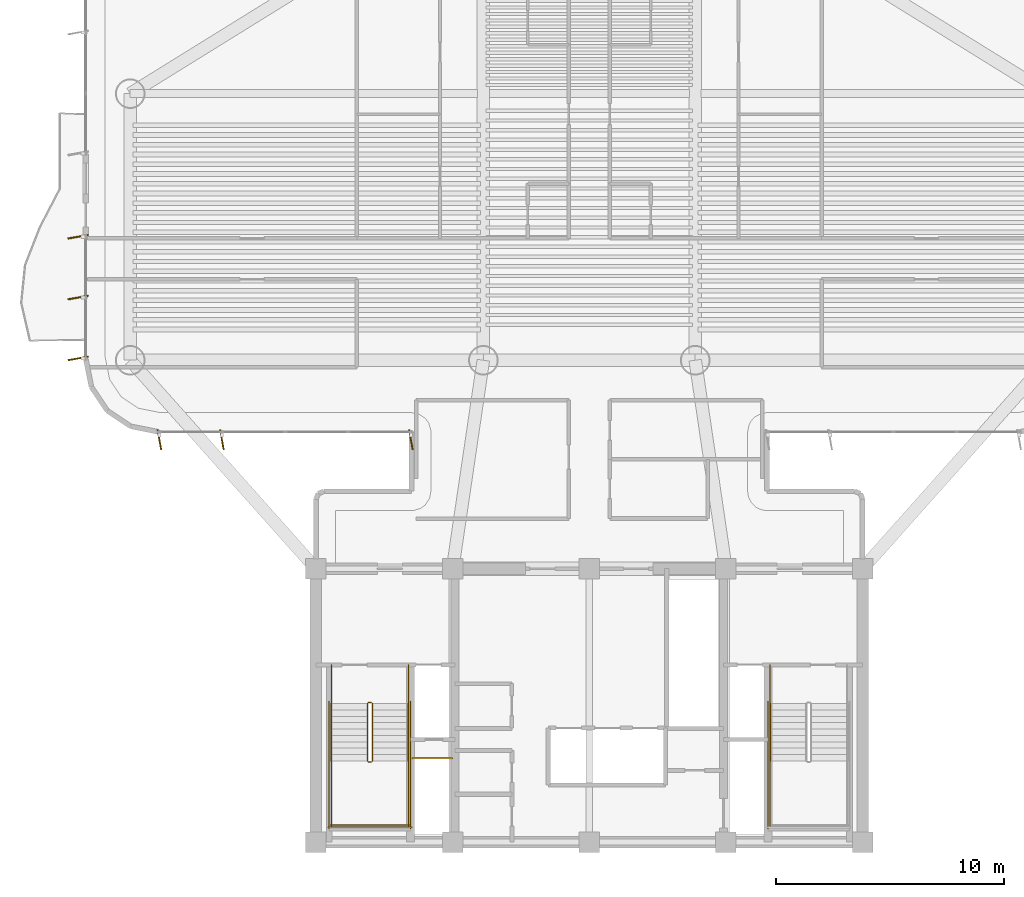
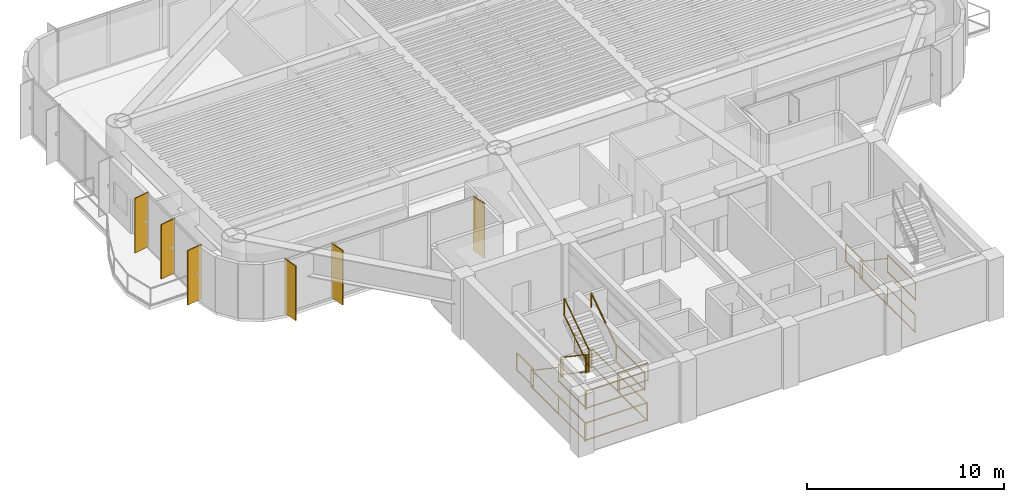
# One storey, part 12 of 15: 19 railings, 6 shading devices.
"""IFC4 building model written with IfcOpenShell, lengths in metres."""

from ifc_helpers import new_model, si_unit, direction, frame, origin, origin_2d, place, context, subcontext, project, spatial, rectangle, extrude, source, transform, mapped, material, layer, layer_set, material_profile, profile_set, type_object, element, save


model = new_model("IFC4")

# Units and contexts
model_context = context("Model", 3, precision=1e-05, world=origin(), true_north=direction((0.0, 1.0)))
body_context = subcontext(model_context, "Body", "Model", "MODEL_VIEW")
ifc_project = project(units=[si_unit("LENGTHUNIT", "METRE"), si_unit("AREAUNIT", "SQUARE_METRE"), si_unit("VOLUMEUNIT", "CUBIC_METRE"), si_unit("PLANEANGLEUNIT", "RADIAN"), si_unit("MASSUNIT", "GRAM", prefix="KILO")], contexts=[model_context])

# Site, building, storey
site_placement = place(None, origin())
site = spatial("IfcSite", under=ifc_project, at=site_placement, CompositionType="ELEMENT")
building_placement = place(site_placement, origin())
building = spatial("IfcBuilding", under=site, at=building_placement, Name="Brelvock Crest Care Tower", CompositionType="ELEMENT")
storey_placement = place(building_placement, frame((0.0, 0.0, 142.739990234375)))
storey = spatial("IfcBuildingStorey", under=building, at=storey_placement, Name="L36", CompositionType="ELEMENT", Elevation=142.739990234375)

# Railings
ifc_material_1 = material(Name="Steel Grade 350", Category="steel")
ifc_layer_1 = layer(ifc_material_1, 0.050048828125, Name="RL-STG1")
ifc_layer_set_1 = layer_set([ifc_layer_1], Name="Steel Grade 350")
railing_type_1 = type_object("IfcRailingType", Name="RL-STG1", PredefinedType="GUARDRAIL", material=ifc_layer_set_1)
railing_1_placement = place(storey_placement, frame((26.260009765625, 12.080078125, 0.18896484375)))
element("IfcRailing", 1, at=railing_1_placement, inside=storey, type_object=railing_type_1, Name="L36 ST-1 stair guard 1", PredefinedType="GUARDRAIL", context=body_context, shape_type="SweptSolid", body=[
    extrude(rectangle(XDim=0.048095703125, YDim=0.048095703125, at=origin_2d()), frame((0.0, -0.001708984375, 1.116943359375), z_axis=(0.0, -0.828861706735, 0.559453546873), x_axis=(1.0, 0.0, 0.0)), (0.0, 0.0, 1.0), 3.036376953125),
    extrude(rectangle(XDim=0.048095703125, YDim=0.048095703125, at=origin_2d()), frame((0.0, -0.001708984375, 0.05615234375), z_axis=(0.0, -0.828861706735, 0.559453546873), x_axis=(1.0, 0.0, 0.0)), (0.0, 0.0, 1.0), 3.036376953125),
    extrude(rectangle(XDim=0.0419921875, YDim=0.0419921875, at=origin_2d()), origin(), (0.0, 0.0, 1.0), 1.08984375),
    extrude(rectangle(XDim=0.0419921875, YDim=0.0419921875, at=origin_2d()), frame((0.0, -2.52001953125, 1.700927734375)), (0.0, 0.0, 1.0), 1.08984375),
])
railing_2_placement = place(storey_placement, frame((26.31005859375, 9.510009765625, 1.889892578125)))
element("IfcRailing", 2, at=railing_2_placement, inside=storey, type_object=railing_type_1, Name="L36 ST-1 stair guard 2", PredefinedType="GUARDRAIL", context=body_context, shape_type="SweptSolid", body=[
    extrude(rectangle(XDim=0.048095703125, YDim=0.048095703125, at=origin_2d()), frame((0.001953125, 0.0, 1.11572265625), z_axis=(1.0, 0.0, 0.0), x_axis=(0.0, 1.0, 0.0)), (0.0, 0.0, 1.0), 0.115966796875),
    extrude(rectangle(XDim=0.048095703125, YDim=0.048095703125, at=origin_2d()), frame((0.001953125, 0.0, 0.054931640625), z_axis=(1.0, 0.0, 0.0), x_axis=(0.0, 1.0, 0.0)), (0.0, 0.0, 1.0), 0.115966796875),
    extrude(rectangle(XDim=0.0419921875, YDim=0.0419921875, at=origin_2d()), origin(), (0.0, 0.0, 1.0), 1.08984375),
    extrude(rectangle(XDim=0.0419921875, YDim=0.0419921875, at=origin_2d()), frame((0.119873046875, 0.0, 0.0)), (0.0, 0.0, 1.0), 1.08984375),
])
for number, where, name in (
    (3, (24.679931640625, 9.56005859375, 1.889892578125), "L36 ST-1 stair guard 3"),
    (4, (28.06005859375, 9.56005859375, 1.889892578125), "L36 ST-1 stair guard 4"),
):
    element("IfcRailing", number, at=place(storey_placement, frame(where)), inside=storey, type_object=railing_type_1, Name=name, PredefinedType="GUARDRAIL", context=body_context, shape_type="SweptSolid", body=[
        extrude(rectangle(XDim=0.048095703125, YDim=0.048095703125, at=origin_2d()), frame((0.0, -0.001953125, 1.11572265625), z_axis=(0.0, -1.0, 0.0), x_axis=(1.0, 0.0, 0.0)), (0.0, 0.0, 1.0), 2.856201171875),
        extrude(rectangle(XDim=0.048095703125, YDim=0.048095703125, at=origin_2d()), frame((0.0, -0.001953125, 0.054931640625), z_axis=(0.0, -1.0, 0.0), x_axis=(1.0, 0.0, 0.0)), (0.0, 0.0, 1.0), 2.856201171875),
        extrude(rectangle(XDim=0.0419921875, YDim=0.0419921875, at=origin_2d()), origin(), (0.0, 0.0, 1.0), 1.08984375),
        extrude(rectangle(XDim=0.0419921875, YDim=0.0419921875, at=origin_2d()), frame((0.0, -2.860107421875, 0.0)), (0.0, 0.0, 1.0), 1.08984375),
    ])
railing_3_placement = place(storey_placement, frame((24.6298828125, 6.75, 1.889892578125)))
element("IfcRailing", 5, at=railing_3_placement, inside=storey, type_object=railing_type_1, Name="L36 ST-1 stair guard 5", PredefinedType="GUARDRAIL", context=body_context, shape_type="SweptSolid", body=[
    extrude(rectangle(XDim=0.048095703125, YDim=0.048095703125, at=origin_2d()), frame((0.001953125, 0.0, 1.11572265625), z_axis=(1.0, 0.0, 0.0), x_axis=(0.0, 1.0, 0.0)), (0.0, 0.0, 1.0), 3.476318359375),
    extrude(rectangle(XDim=0.048095703125, YDim=0.048095703125, at=origin_2d()), frame((0.001953125, 0.0, 0.054931640625), z_axis=(1.0, 0.0, 0.0), x_axis=(0.0, 1.0, 0.0)), (0.0, 0.0, 1.0), 3.476318359375),
    extrude(rectangle(XDim=0.0419921875, YDim=0.0419921875, at=origin_2d()), origin(), (0.0, 0.0, 1.0), 1.08984375),
    extrude(rectangle(XDim=0.0419921875, YDim=0.0419921875, at=origin_2d()), frame((3.480224609375, 0.0, 0.0)), (0.0, 0.0, 1.0), 1.08984375),
])
railing_4_placement = place(storey_placement, frame((26.47998046875, 9.56005859375, 2.0791015625)))
element("IfcRailing", 6, at=railing_4_placement, inside=storey, type_object=railing_type_1, Name="L36 ST-1 stair guard 6", PredefinedType="GUARDRAIL", context=body_context, shape_type="SweptSolid", body=[
    extrude(rectangle(XDim=0.048095703125, YDim=0.048095703125, at=origin_2d()), frame((0.0, 0.001708984375, 1.116943359375), z_axis=(0.0, 0.828861706735, 0.559453546873), x_axis=(-1.0, 0.0, 0.0)), (0.0, 0.0, 1.0), 3.036376953125),
    extrude(rectangle(XDim=0.048095703125, YDim=0.048095703125, at=origin_2d()), frame((0.0, 0.001708984375, 0.05615234375), z_axis=(0.0, 0.828861706735, 0.559453546873), x_axis=(-1.0, 0.0, 0.0)), (0.0, 0.0, 1.0), 3.036376953125),
    extrude(rectangle(XDim=0.0419921875, YDim=0.0419921875, at=origin_2d()), origin(), (0.0, 0.0, 1.0), 1.08984375),
    extrude(rectangle(XDim=0.0419921875, YDim=0.0419921875, at=origin_2d()), frame((0.0, 2.52001953125, 1.700927734375)), (0.0, 0.0, 1.0), 1.08984375),
])
railing_5_placement = place(storey_placement, frame((26.31005859375, 12.1298828125, 0.0)))
element("IfcRailing", 7, at=railing_5_placement, inside=storey, type_object=railing_type_1, Name="L36 ST-1 stair guard 7", PredefinedType="GUARDRAIL", context=body_context, shape_type="SweptSolid", body=[
    extrude(rectangle(XDim=0.048095703125, YDim=0.048095703125, at=origin_2d()), frame((0.001953125, 0.0, 1.11572265625), z_axis=(1.0, 0.0, 0.0), x_axis=(0.0, 1.0, 0.0)), (0.0, 0.0, 1.0), 0.115966796875),
    extrude(rectangle(XDim=0.048095703125, YDim=0.048095703125, at=origin_2d()), frame((0.001953125, 0.0, 0.054931640625), z_axis=(1.0, 0.0, 0.0), x_axis=(0.0, 1.0, 0.0)), (0.0, 0.0, 1.0), 0.115966796875),
    extrude(rectangle(XDim=0.0419921875, YDim=0.0419921875, at=origin_2d()), origin(), (0.0, 0.0, 1.0), 1.08984375),
    extrude(rectangle(XDim=0.0419921875, YDim=0.0419921875, at=origin_2d()), frame((0.119873046875, 0.0, 0.0)), (0.0, 0.0, 1.0), 1.08984375),
])
for number, where, name in (
    (8, (24.679931640625, 13.780029296875, 0.0), "L36 ST-1 stair guard 8"),
    (9, (28.06005859375, 13.780029296875, 0.0), "L36 ST-1 stair guard 9"),
):
    element("IfcRailing", number, at=place(storey_placement, frame(where)), inside=storey, type_object=railing_type_1, Name=name, PredefinedType="GUARDRAIL", context=body_context, shape_type="SweptSolid", body=[
        extrude(rectangle(XDim=0.048095703125, YDim=0.048095703125, at=origin_2d()), frame((0.0, -0.001953125, 1.11572265625), z_axis=(0.0, -1.0, 0.0), x_axis=(1.0, 0.0, 0.0)), (0.0, 0.0, 1.0), 1.696044921875),
        extrude(rectangle(XDim=0.048095703125, YDim=0.048095703125, at=origin_2d()), frame((0.0, -0.001953125, 0.054931640625), z_axis=(0.0, -1.0, 0.0), x_axis=(1.0, 0.0, 0.0)), (0.0, 0.0, 1.0), 1.696044921875),
        extrude(rectangle(XDim=0.0419921875, YDim=0.0419921875, at=origin_2d()), origin(), (0.0, 0.0, 1.0), 1.08984375),
        extrude(rectangle(XDim=0.0419921875, YDim=0.0419921875, at=origin_2d()), frame((0.0, -1.699951171875, 0.0)), (0.0, 0.0, 1.0), 1.08984375),
    ])
for number, where, name in (
    (10, (24.580078125, 12.179931640625, 0.0), "L36 ST-1 stair guard 10"),
    (11, (28.159912109375, 12.179931640625, 0.0), "L36 ST-1 stair guard 11"),
):
    element("IfcRailing", number, at=place(storey_placement, frame(where)), inside=storey, type_object=railing_type_1, Name=name, PredefinedType="GUARDRAIL", context=body_context, shape_type="SweptSolid", body=[
        extrude(rectangle(XDim=0.048095703125, YDim=0.048095703125, at=origin_2d()), frame((0.0, -0.001953125, 1.11572265625), z_axis=(0.0, -1.0, 0.0), x_axis=(1.0, 0.0, 0.0)), (0.0, 0.0, 1.0), 5.575927734375),
        extrude(rectangle(XDim=0.048095703125, YDim=0.048095703125, at=origin_2d()), frame((0.0, -0.001953125, 0.054931640625), z_axis=(0.0, -1.0, 0.0), x_axis=(1.0, 0.0, 0.0)), (0.0, 0.0, 1.0), 5.575927734375),
        extrude(rectangle(XDim=0.0419921875, YDim=0.0419921875, at=origin_2d()), origin(), (0.0, 0.0, 1.0), 1.08984375),
        extrude(rectangle(XDim=0.0419921875, YDim=0.0419921875, at=origin_2d()), frame((0.0, -2.7900390625, 0.0)), (0.0, 0.0, 1.0), 1.08984375),
        extrude(rectangle(XDim=0.0419921875, YDim=0.0419921875, at=origin_2d()), frame((0.0, -5.579833984375, 0.0)), (0.0, 0.0, 1.0), 1.08984375),
    ])
railing_6_placement = place(storey_placement, frame((24.530029296875, 6.64990234375, 0.0)))
element("IfcRailing", 12, at=railing_6_placement, inside=storey, type_object=railing_type_1, Name="L36 ST-1 stair guard 12", PredefinedType="GUARDRAIL", context=body_context, shape_type="SweptSolid", body=[
    extrude(rectangle(XDim=0.048095703125, YDim=0.048095703125, at=origin_2d()), frame((0.001953125, 0.0, 1.11572265625), z_axis=(1.0, 0.0, 0.0), x_axis=(0.0, 1.0, 0.0)), (0.0, 0.0, 1.0), 3.676025390625),
    extrude(rectangle(XDim=0.048095703125, YDim=0.048095703125, at=origin_2d()), frame((0.001953125, 0.0, 0.054931640625), z_axis=(1.0, 0.0, 0.0), x_axis=(0.0, 1.0, 0.0)), (0.0, 0.0, 1.0), 3.676025390625),
    extrude(rectangle(XDim=0.0419921875, YDim=0.0419921875, at=origin_2d()), origin(), (0.0, 0.0, 1.0), 1.08984375),
    extrude(rectangle(XDim=0.0419921875, YDim=0.0419921875, at=origin_2d()), frame((3.679931640625, 0.0, 0.0)), (0.0, 0.0, 1.0), 1.08984375),
])
railing_7_placement = place(storey_placement, frame((43.93994140625, 9.56005859375, 1.889892578125)))
element("IfcRailing", 13, at=railing_7_placement, inside=storey, type_object=railing_type_1, Name="L36 ST-2 stair guard 3", PredefinedType="GUARDRAIL", context=body_context, shape_type="SweptSolid", body=[
    extrude(rectangle(XDim=0.048095703125, YDim=0.048095703125, at=origin_2d()), frame((0.0, -0.001953125, 1.11572265625), z_axis=(0.0, -1.0, 0.0), x_axis=(1.0, 0.0, 0.0)), (0.0, 0.0, 1.0), 2.856201171875),
    extrude(rectangle(XDim=0.048095703125, YDim=0.048095703125, at=origin_2d()), frame((0.0, -0.001953125, 0.054931640625), z_axis=(0.0, -1.0, 0.0), x_axis=(1.0, 0.0, 0.0)), (0.0, 0.0, 1.0), 2.856201171875),
    extrude(rectangle(XDim=0.0419921875, YDim=0.0419921875, at=origin_2d()), origin(), (0.0, 0.0, 1.0), 1.08984375),
    extrude(rectangle(XDim=0.0419921875, YDim=0.0419921875, at=origin_2d()), frame((0.0, -2.860107421875, 0.0)), (0.0, 0.0, 1.0), 1.08984375),
])
railing_8_placement = place(storey_placement, frame((43.93994140625, 13.780029296875, 0.0)))
element("IfcRailing", 14, at=railing_8_placement, inside=storey, type_object=railing_type_1, Name="L36 ST-2 stair guard 8", PredefinedType="GUARDRAIL", context=body_context, shape_type="SweptSolid", body=[
    extrude(rectangle(XDim=0.048095703125, YDim=0.048095703125, at=origin_2d()), frame((0.0, -0.001953125, 1.11572265625), z_axis=(0.0, -1.0, 0.0), x_axis=(1.0, 0.0, 0.0)), (0.0, 0.0, 1.0), 1.696044921875),
    extrude(rectangle(XDim=0.048095703125, YDim=0.048095703125, at=origin_2d()), frame((0.0, -0.001953125, 0.054931640625), z_axis=(0.0, -1.0, 0.0), x_axis=(1.0, 0.0, 0.0)), (0.0, 0.0, 1.0), 1.696044921875),
    extrude(rectangle(XDim=0.0419921875, YDim=0.0419921875, at=origin_2d()), origin(), (0.0, 0.0, 1.0), 1.08984375),
    extrude(rectangle(XDim=0.0419921875, YDim=0.0419921875, at=origin_2d()), frame((0.0, -1.699951171875, 0.0)), (0.0, 0.0, 1.0), 1.08984375),
])
railing_9_placement = place(storey_placement, frame((43.840087890625, 12.179931640625, 0.0)))
element("IfcRailing", 15, at=railing_9_placement, inside=storey, type_object=railing_type_1, Name="L36 ST-2 stair guard 10", PredefinedType="GUARDRAIL", context=body_context, shape_type="SweptSolid", body=[
    extrude(rectangle(XDim=0.048095703125, YDim=0.048095703125, at=origin_2d()), frame((0.0, -0.001953125, 1.11572265625), z_axis=(0.0, -1.0, 0.0), x_axis=(1.0, 0.0, 0.0)), (0.0, 0.0, 1.0), 5.575927734375),
    extrude(rectangle(XDim=0.048095703125, YDim=0.048095703125, at=origin_2d()), frame((0.0, -0.001953125, 0.054931640625), z_axis=(0.0, -1.0, 0.0), x_axis=(1.0, 0.0, 0.0)), (0.0, 0.0, 1.0), 5.575927734375),
    extrude(rectangle(XDim=0.0419921875, YDim=0.0419921875, at=origin_2d()), origin(), (0.0, 0.0, 1.0), 1.08984375),
    extrude(rectangle(XDim=0.0419921875, YDim=0.0419921875, at=origin_2d()), frame((0.0, -2.7900390625, 0.0)), (0.0, 0.0, 1.0), 1.08984375),
    extrude(rectangle(XDim=0.0419921875, YDim=0.0419921875, at=origin_2d()), frame((0.0, -5.579833984375, 0.0)), (0.0, 0.0, 1.0), 1.08984375),
])
railing_10_placement = place(storey_placement, frame((28.219970703125, 9.679931640625, 0.0)))
element("IfcRailing", 16, at=railing_10_placement, inside=storey, type_object=railing_type_1, Name="L36 Fire Riser Threshold Guard", PredefinedType="GUARDRAIL", context=body_context, shape_type="SweptSolid", body=[
    extrude(rectangle(XDim=0.048095703125, YDim=0.048095703125, at=origin_2d()), frame((0.001953125, 0.0, 1.11572265625), z_axis=(1.0, 0.0, 0.0), x_axis=(0.0, 1.0, 0.0)), (0.0, 0.0, 1.0), 1.776123046875),
    extrude(rectangle(XDim=0.048095703125, YDim=0.048095703125, at=origin_2d()), frame((0.001953125, 0.0, 0.054931640625), z_axis=(1.0, 0.0, 0.0), x_axis=(0.0, 1.0, 0.0)), (0.0, 0.0, 1.0), 1.776123046875),
    extrude(rectangle(XDim=0.0419921875, YDim=0.0419921875, at=origin_2d()), origin(), (0.0, 0.0, 1.0), 1.08984375),
    extrude(rectangle(XDim=0.0419921875, YDim=0.0419921875, at=origin_2d()), frame((1.780029296875, 0.0, 0.0)), (0.0, 0.0, 1.0), 1.08984375),
])
ifc_layer_2 = layer(ifc_material_1, 0.048095703125, Name="RL-STH1")
ifc_layer_set_2 = layer_set([ifc_layer_2], Name="Steel Grade 350")
railing_type_2 = type_object("IfcRailingType", Name="RL-STH1", PredefinedType="HANDRAIL", material=ifc_layer_set_2)
railing_11_placement = place(storey_placement, frame((24.679931640625, 12.080078125, 0.18896484375)))
element("IfcRailing", 17, at=railing_11_placement, inside=storey, type_object=railing_type_2, Name="L36 ST-1 stair handrail 1", PredefinedType="HANDRAIL", context=body_context, shape_type="SweptSolid", body=[
    extrude(rectangle(XDim=0.048095703125, YDim=0.048095703125, at=origin_2d()), frame((0.0, -0.001708984375, 0.876953125), z_axis=(0.0, -0.828861706735, 0.559453546873), x_axis=(1.0, 0.0, 0.0)), (0.0, 0.0, 1.0), 3.036376953125),
    extrude(rectangle(XDim=0.0419921875, YDim=0.0419921875, at=origin_2d()), origin(), (0.0, 0.0, 1.0), 0.849853515625),
    extrude(rectangle(XDim=0.0419921875, YDim=0.0419921875, at=origin_2d()), frame((0.0, -2.52001953125, 1.700927734375)), (0.0, 0.0, 1.0), 0.849853515625),
])
railing_12_placement = place(storey_placement, frame((28.06005859375, 9.56005859375, 2.0791015625)))
element("IfcRailing", 18, at=railing_12_placement, inside=storey, type_object=railing_type_2, Name="L36 ST-1 stair handrail 2", PredefinedType="HANDRAIL", context=body_context, shape_type="SweptSolid", body=[
    extrude(rectangle(XDim=0.048095703125, YDim=0.048095703125, at=origin_2d()), frame((0.0, 0.001708984375, 0.876953125), z_axis=(0.0, 0.828861706735, 0.559453546873), x_axis=(-1.0, 0.0, 0.0)), (0.0, 0.0, 1.0), 3.036376953125),
    extrude(rectangle(XDim=0.0419921875, YDim=0.0419921875, at=origin_2d()), origin(), (0.0, 0.0, 1.0), 0.849853515625),
    extrude(rectangle(XDim=0.0419921875, YDim=0.0419921875, at=origin_2d()), frame((0.0, 2.52001953125, 1.700927734375)), (0.0, 0.0, 1.0), 0.849853515625),
])
railing_13_placement = place(storey_placement, frame((43.93994140625, 12.080078125, 0.18896484375)))
element("IfcRailing", 19, at=railing_13_placement, inside=storey, type_object=railing_type_2, Name="L36 ST-2 stair handrail 1", PredefinedType="HANDRAIL", context=body_context, shape_type="SweptSolid", body=[
    extrude(rectangle(XDim=0.048095703125, YDim=0.048095703125, at=origin_2d()), frame((0.0, -0.001708984375, 0.876953125), z_axis=(0.0, -0.828861706735, 0.559453546873), x_axis=(1.0, 0.0, 0.0)), (0.0, 0.0, 1.0), 3.036376953125),
    extrude(rectangle(XDim=0.0419921875, YDim=0.0419921875, at=origin_2d()), origin(), (0.0, 0.0, 1.0), 0.849853515625),
    extrude(rectangle(XDim=0.0419921875, YDim=0.0419921875, at=origin_2d()), frame((0.0, -2.52001953125, 1.700927734375)), (0.0, 0.0, 1.0), 0.849853515625),
])

# Shading devices
ifc_material_2 = material(Name="Aluminium 6063-T6", Category="aluminium")
ifc_material_profile = material_profile(ifc_material_2, rectangle(XDim=0.054931640625, YDim=0.89990234375, at=origin_2d()), Name="FIN55x900")
ifc_profile_set = profile_set([ifc_material_profile], Name="Aluminium 6063-T6")
shading_device_type = type_object("IfcShadingDeviceType", Name="SHD-FIN1", PredefinedType="USERDEFINED", material=ifc_profile_set)
shared_shape = source(origin(), body_context, "Body", "SweptSolid", [
    extrude(rectangle(XDim=0.054931640625, YDim=0.89990234375, at=origin_2d()), origin(), (0.0, 0.0, 1.0), 3.3720703125),
])
for number, where, z_axis, x_axis, name in (
    (20, (28.169921875, 23.659912109375, 0.0), (0.0, 0.0, 1.0), (-0.984807753012, -0.173648177667, 0.0), "L36 Vertical Sunshade Fin E12-01"),
    (21, (19.875, 23.659912109375, 0.0), (0.0, 0.0, 1.0), (-0.984807753012, -0.173648177667, 0.0), "L36 Vertical Sunshade Fin E12-04"),
    (22, (17.1298828125, 23.659912109375, 0.0), (0.0, 0.0, 1.0), (-0.984807753012, -0.173648177667, 0.0), "L36 Vertical Sunshade Fin E12-05"),
    (23, (13.56005859375, 27.22998046875, 0.0), (0.0, 0.0, 1.0), (-0.173648177667, 0.984807753012, 0.0), "L36 Vertical Sunshade Fin E17A-01"),
    (24, (13.56005859375, 29.89990234375, 0.0), (0.0, 0.0, 1.0), (-0.173648177667, 0.984807753012, 0.0), "L36 Vertical Sunshade Fin E17A-02"),
    (25, (13.56005859375, 32.570068359375, 0.0), (0.0, 0.0, 1.0), (-0.173648177667, 0.984807753012, 0.0), "L36 Vertical Sunshade Fin E17A-03"),
):
    element("IfcShadingDevice", number, at=place(storey_placement, frame(where, z_axis=z_axis, x_axis=x_axis)), inside=storey, type_object=shading_device_type, Name=name, ObjectType="FIN", PredefinedType="USERDEFINED", context=body_context, shape_type="MappedRepresentation", body=[
        mapped(shared_shape, transform((0.0, 0.0, 0.0), x_axis=(1.0, 0.0, 0.0), y_axis=(0.0, 1.0, 0.0), z_axis=(0.0, 0.0, 1.0), scale=1.0)),
    ])

save(model, "model.ifc")
